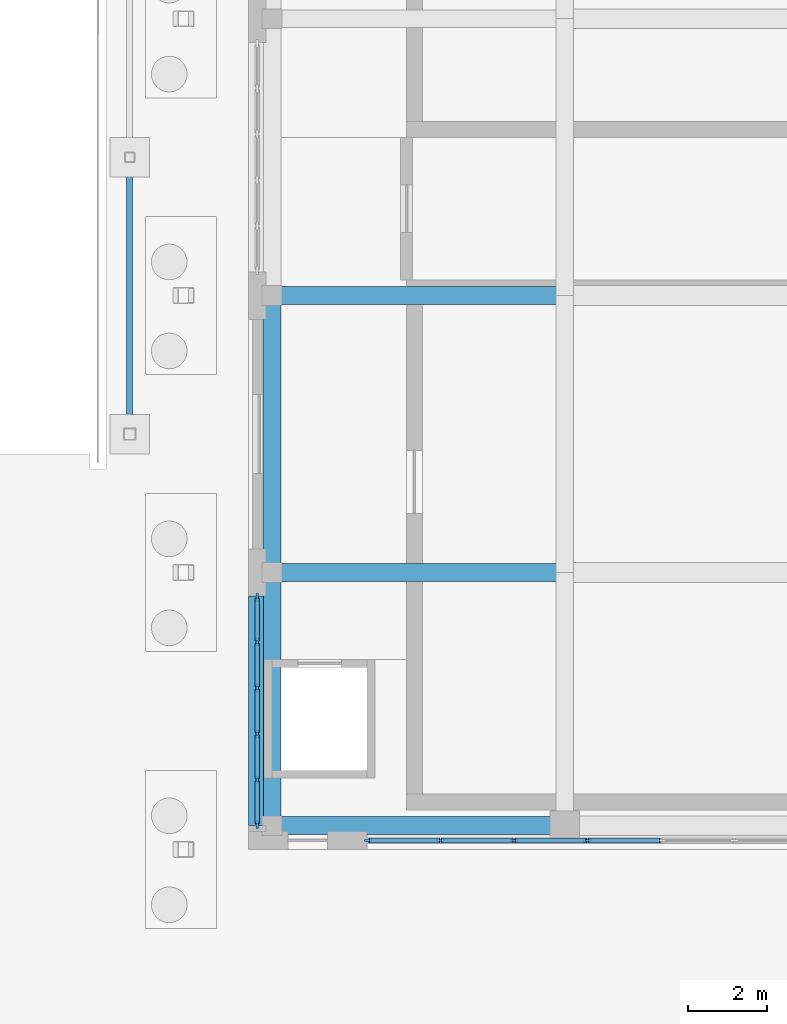
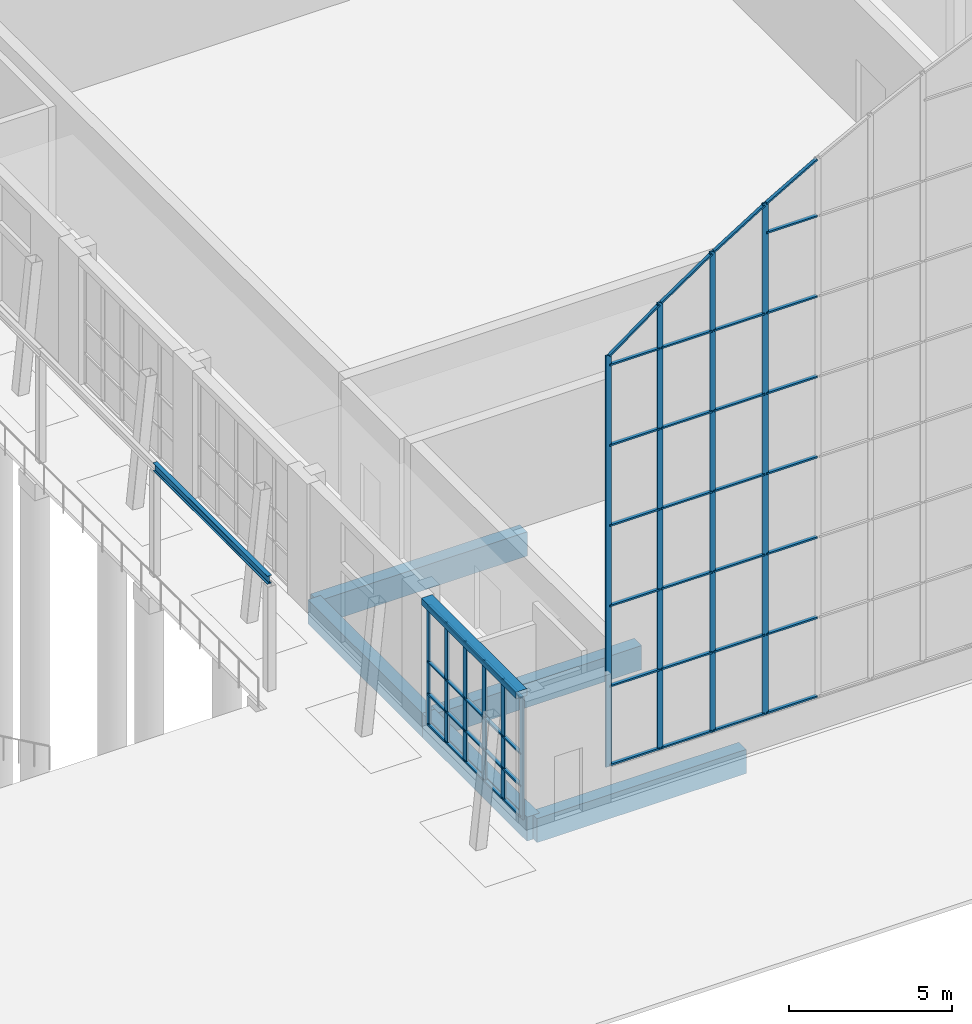
# One storey, part 35 of 144: 59 members, 7 beams, 2 elements without a shape of their own.
"""IFC4 building model written with IfcOpenShell, lengths in metres."""

from ifc_helpers import new_model, si_unit, direction, frame, origin, origin_2d, place, context, subcontext, project, spatial, rectangle, i_section, extrude, material, layer, layer_set, material_profile, profile_set, type_object, element, aggregate, save


model = new_model("IFC4")

# Units and contexts
model_context = context("Model", 3, precision=1e-05, world=origin(), true_north=direction((0.0, 1.0)))
body_context = subcontext(model_context, "Body", "Model", "MODEL_VIEW")
ifc_project = project(units=[si_unit("LENGTHUNIT", "METRE"), si_unit("AREAUNIT", "SQUARE_METRE"), si_unit("VOLUMEUNIT", "CUBIC_METRE"), si_unit("PLANEANGLEUNIT", "RADIAN"), si_unit("MASSUNIT", "GRAM", prefix="KILO")], contexts=[model_context])

# Site, building, storey
site_placement = place(None, origin())
site = spatial("IfcSite", under=ifc_project, at=site_placement, CompositionType="ELEMENT")
building_placement = place(site_placement, origin())
building = spatial("IfcBuilding", under=site, at=building_placement, Name="Lantern Court Media Centre", CompositionType="ELEMENT")
storey_placement = place(building_placement, origin())
storey = spatial("IfcBuildingStorey", under=building, at=storey_placement, Name="L00", CompositionType="ELEMENT", Elevation=0.0)

# Beam
ifc_material_1 = material(Name="Steel S355J2 (EN 10025-2)", Category="steel")
ifc_material_profile_1 = material_profile(ifc_material_1, i_section(OverallWidth=0.14990234375, OverallDepth=0.300048828125, WebThickness=0.007080078125, FlangeThickness=0.0107421875, FilletRadius=0.014892578125, at=origin_2d()), Name="IPE 300")
ifc_profile_set_1 = profile_set([ifc_material_profile_1], Name="Steel S355J2 (EN 10025-2)")
beam_type_1 = type_object("IfcBeamType", Name="Forecourt colonnade beam IPE 300", PredefinedType="BEAM", material=ifc_profile_set_1)
beam_1_placement = place(storey_placement, frame((69.0, 8.5, 4.050048828125), z_axis=(0.0, 1.0, 0.0), x_axis=(-1.0, 0.0, 0.0)))
element("IfcBeam", 1, at=beam_1_placement, inside=storey, type_object=beam_type_1, Name="Forecourt colonnade beam V2 1", PredefinedType="BEAM", context=body_context, shape_type="SweptSolid", body=[
    extrude(i_section(OverallWidth=0.14990234375, OverallDepth=0.300048828125, WebThickness=0.007080078125, FlangeThickness=0.0107421875, FilletRadius=0.014892578125, at=origin_2d()), origin(), (0.0, 0.0, 1.0), 7.0),
])

# Curtain wall, members
ifc_material_2 = material(Name="Aluminium and glass", Category="aluminium")
ifc_layer = layer(ifc_material_2, 0.14990234375)
ifc_layer_set = layer_set([ifc_layer], Name="Aluminium and glass")
curtain_wall_type = type_object("IfcCurtainWallType", Name="Hall lancet glazing", PredefinedType="NOTDEFINED", material=ifc_layer_set)
curtain_wall_1_placement = place(storey_placement, origin())
curtain_wall_1 = element("IfcCurtainWall", 2, at=curtain_wall_1_placement, inside=storey, type_object=curtain_wall_type, Name="Studio Hall foyer glazing 1", PredefinedType="NOTDEFINED")
ifc_material_3 = material(Name="Aluminium, anodised", Category="aluminium")
ifc_material_profile_2 = material_profile(ifc_material_3, rectangle(XDim=0.06005859375, YDim=0.199951171875, at=origin_2d()), Name="HM")
ifc_profile_set_2 = profile_set([ifc_material_profile_2], Name="Aluminium, anodised")
member_type_1 = type_object("IfcMemberType", Name="HM", PredefinedType="MULLION", material=ifc_profile_set_2)
member_1_placement = place(storey_placement, frame((72.22509765625, -1.3701171875, 0.0), z_axis=(0.0, 0.0, 1.0), x_axis=(-1.0, 0.0, 0.0)))
member_1 = element("IfcMember", 3, at=member_1_placement, type_object=member_type_1, Name="HCW-V21 mullion 1", PredefinedType="MULLION", context=body_context, shape_type="SweptSolid", body=[
    extrude(rectangle(XDim=0.06005859375, YDim=0.199951171875, at=origin_2d()), origin(), (0.0, 0.0, 1.0), 4.550048828125),
])
member_2_placement = place(storey_placement, frame((72.22509765625, -0.239990234375, 0.0), z_axis=(0.0, 0.0, 1.0), x_axis=(-1.0, 0.0, 0.0)))
member_2 = element("IfcMember", 4, at=member_2_placement, type_object=member_type_1, Name="HCW-V21 mullion 2", PredefinedType="MULLION", context=body_context, shape_type="SweptSolid", body=[
    extrude(rectangle(XDim=0.06005859375, YDim=0.199951171875, at=origin_2d()), origin(), (0.0, 0.0, 1.0), 4.550048828125),
])
member_3_placement = place(storey_placement, frame((72.22509765625, 0.919921875, 0.0), z_axis=(0.0, 0.0, 1.0), x_axis=(-1.0, 0.0, 0.0)))
member_3 = element("IfcMember", 5, at=member_3_placement, type_object=member_type_1, Name="HCW-V21 mullion 3", PredefinedType="MULLION", context=body_context, shape_type="SweptSolid", body=[
    extrude(rectangle(XDim=0.06005859375, YDim=0.199951171875, at=origin_2d()), origin(), (0.0, 0.0, 1.0), 4.550048828125),
])
member_4_placement = place(storey_placement, frame((72.22509765625, 2.080078125, 0.0), z_axis=(0.0, 0.0, 1.0), x_axis=(-1.0, 0.0, 0.0)))
member_4 = element("IfcMember", 6, at=member_4_placement, type_object=member_type_1, Name="HCW-V21 mullion 4", PredefinedType="MULLION", context=body_context, shape_type="SweptSolid", body=[
    extrude(rectangle(XDim=0.06005859375, YDim=0.199951171875, at=origin_2d()), origin(), (0.0, 0.0, 1.0), 4.550048828125),
])
member_5_placement = place(storey_placement, frame((72.22509765625, 3.239990234375, 0.0), z_axis=(0.0, 0.0, 1.0), x_axis=(-1.0, 0.0, 0.0)))
member_5 = element("IfcMember", 7, at=member_5_placement, type_object=member_type_1, Name="HCW-V21 mullion 5", PredefinedType="MULLION", context=body_context, shape_type="SweptSolid", body=[
    extrude(rectangle(XDim=0.06005859375, YDim=0.199951171875, at=origin_2d()), origin(), (0.0, 0.0, 1.0), 4.550048828125),
])
member_6_placement = place(storey_placement, frame((72.22509765625, 4.3701171875, 0.0), z_axis=(0.0, 0.0, 1.0), x_axis=(-1.0, 0.0, 0.0)))
member_6 = element("IfcMember", 8, at=member_6_placement, type_object=member_type_1, Name="HCW-V21 mullion 6", PredefinedType="MULLION", context=body_context, shape_type="SweptSolid", body=[
    extrude(rectangle(XDim=0.06005859375, YDim=0.199951171875, at=origin_2d()), origin(), (0.0, 0.0, 1.0), 4.550048828125),
])

curtain_wall_2_placement = place(storey_placement, origin())
curtain_wall_2 = element("IfcCurtainWall", 9, at=curtain_wall_2_placement, inside=storey, type_object=curtain_wall_type, Name="Studio Hall HCW-V20 glazing", PredefinedType="NOTDEFINED")
member_7_placement = place(storey_placement, frame((75.030029296875, -1.77490234375, 1.199951171875), z_axis=(0.0, 0.0, 1.0), x_axis=(0.0, 1.0, 0.0)))
member_7 = element("IfcMember", 10, at=member_7_placement, type_object=member_type_1, Name="HCW-V20 mullion 1", PredefinedType="MULLION", context=body_context, shape_type="SweptSolid", body=[
    extrude(rectangle(XDim=0.06005859375, YDim=0.199951171875, at=origin_2d()), origin(), (0.0, 0.0, 1.0), 15.369873046875),
])
member_8_placement = place(storey_placement, frame((76.857177734375, -1.77490234375, 1.199951171875), z_axis=(0.0, 0.0, 1.0), x_axis=(0.0, 1.0, 0.0)))
member_8 = element("IfcMember", 11, at=member_8_placement, type_object=member_type_1, Name="HCW-V20 mullion 2", PredefinedType="MULLION", context=body_context, shape_type="SweptSolid", body=[
    extrude(rectangle(XDim=0.06005859375, YDim=0.199951171875, at=origin_2d()), origin(), (0.0, 0.0, 1.0), 16.708984375),
])
member_9_placement = place(storey_placement, frame((78.71435546875, -1.77490234375, 1.199951171875), z_axis=(0.0, 0.0, 1.0), x_axis=(0.0, 1.0, 0.0)))
member_9 = element("IfcMember", 12, at=member_9_placement, type_object=member_type_1, Name="HCW-V20 mullion 3", PredefinedType="MULLION", context=body_context, shape_type="SweptSolid", body=[
    extrude(rectangle(XDim=0.06005859375, YDim=0.199951171875, at=origin_2d()), origin(), (0.0, 0.0, 1.0), 17.965576171875),
])
member_10_placement = place(storey_placement, frame((80.571533203125, -1.77490234375, 1.199951171875), z_axis=(0.0, 0.0, 1.0), x_axis=(0.0, 1.0, 0.0)))
member_10 = element("IfcMember", 13, at=member_10_placement, type_object=member_type_1, Name="HCW-V20 mullion 4", PredefinedType="MULLION", context=body_context, shape_type="SweptSolid", body=[
    extrude(rectangle(XDim=0.06005859375, YDim=0.199951171875, at=origin_2d()), origin(), (0.0, 0.0, 1.0), 19.124755859375),
])

# Member
ifc_material_profile_3 = material_profile(ifc_material_3, rectangle(XDim=0.1201171875, YDim=0.06005859375, at=origin_2d()), Name="HT")
ifc_profile_set_3 = profile_set([ifc_material_profile_3], Name="Aluminium, anodised")
member_type_2 = type_object("IfcMemberType", Name="HT", PredefinedType="USERDEFINED", material=ifc_profile_set_3)
member_11_placement = place(storey_placement, frame((72.22509765625, -1.340087890625, 0.06005859375), z_axis=(0.0, 1.0, 0.0), x_axis=(-1.0, 0.0, 0.0)))
member_11 = element("IfcMember", 14, at=member_11_placement, type_object=member_type_2, Name="HCW-V21 transom 1.1", ObjectType="TRANSOM", PredefinedType="USERDEFINED", context=body_context, shape_type="SweptSolid", body=[
    extrude(rectangle(XDim=0.1201171875, YDim=0.06005859375, at=origin_2d()), origin(), (0.0, 0.0, 1.0), 1.070068359375),
])

member_12_placement = place(storey_placement, frame((72.22509765625, -1.340087890625, 1.199951171875), z_axis=(0.0, 1.0, 0.0), x_axis=(-1.0, 0.0, 0.0)))
member_12 = element("IfcMember", 15, at=member_12_placement, type_object=member_type_2, Name="HCW-V21 transom 1.2", ObjectType="TRANSOM", PredefinedType="USERDEFINED", context=body_context, shape_type="SweptSolid", body=[
    extrude(rectangle(XDim=0.1201171875, YDim=0.06005859375, at=origin_2d()), origin(), (0.0, 0.0, 1.0), 1.070068359375),
])

member_13_placement = place(storey_placement, frame((72.22509765625, -1.340087890625, 2.39990234375), z_axis=(0.0, 1.0, 0.0), x_axis=(-1.0, 0.0, 0.0)))
member_13 = element("IfcMember", 16, at=member_13_placement, type_object=member_type_2, Name="HCW-V21 transom 1.3", ObjectType="TRANSOM", PredefinedType="USERDEFINED", context=body_context, shape_type="SweptSolid", body=[
    extrude(rectangle(XDim=0.1201171875, YDim=0.06005859375, at=origin_2d()), origin(), (0.0, 0.0, 1.0), 1.070068359375),
])

member_14_placement = place(storey_placement, frame((72.22509765625, -1.340087890625, 4.489990234375), z_axis=(0.0, 1.0, 0.0), x_axis=(-1.0, 0.0, 0.0)))
member_14 = element("IfcMember", 17, at=member_14_placement, type_object=member_type_2, Name="HCW-V21 transom 1.4", ObjectType="TRANSOM", PredefinedType="USERDEFINED", context=body_context, shape_type="SweptSolid", body=[
    extrude(rectangle(XDim=0.1201171875, YDim=0.06005859375, at=origin_2d()), origin(), (0.0, 0.0, 1.0), 1.070068359375),
])

member_15_placement = place(storey_placement, frame((72.22509765625, -0.2099609375, 0.06005859375), z_axis=(0.0, 1.0, 0.0), x_axis=(-1.0, 0.0, 0.0)))
member_15 = element("IfcMember", 18, at=member_15_placement, type_object=member_type_2, Name="HCW-V21 transom 2.1", ObjectType="TRANSOM", PredefinedType="USERDEFINED", context=body_context, shape_type="SweptSolid", body=[
    extrude(rectangle(XDim=0.1201171875, YDim=0.06005859375, at=origin_2d()), origin(), (0.0, 0.0, 1.0), 1.099853515625),
])

member_16_placement = place(storey_placement, frame((72.22509765625, -0.2099609375, 1.199951171875), z_axis=(0.0, 1.0, 0.0), x_axis=(-1.0, 0.0, 0.0)))
member_16 = element("IfcMember", 19, at=member_16_placement, type_object=member_type_2, Name="HCW-V21 transom 2.2", ObjectType="TRANSOM", PredefinedType="USERDEFINED", context=body_context, shape_type="SweptSolid", body=[
    extrude(rectangle(XDim=0.1201171875, YDim=0.06005859375, at=origin_2d()), origin(), (0.0, 0.0, 1.0), 1.099853515625),
])

member_17_placement = place(storey_placement, frame((72.22509765625, -0.2099609375, 2.39990234375), z_axis=(0.0, 1.0, 0.0), x_axis=(-1.0, 0.0, 0.0)))
member_17 = element("IfcMember", 20, at=member_17_placement, type_object=member_type_2, Name="HCW-V21 transom 2.3", ObjectType="TRANSOM", PredefinedType="USERDEFINED", context=body_context, shape_type="SweptSolid", body=[
    extrude(rectangle(XDim=0.1201171875, YDim=0.06005859375, at=origin_2d()), origin(), (0.0, 0.0, 1.0), 1.099853515625),
])

member_18_placement = place(storey_placement, frame((72.22509765625, -0.2099609375, 4.489990234375), z_axis=(0.0, 1.0, 0.0), x_axis=(-1.0, 0.0, 0.0)))
member_18 = element("IfcMember", 21, at=member_18_placement, type_object=member_type_2, Name="HCW-V21 transom 2.4", ObjectType="TRANSOM", PredefinedType="USERDEFINED", context=body_context, shape_type="SweptSolid", body=[
    extrude(rectangle(XDim=0.1201171875, YDim=0.06005859375, at=origin_2d()), origin(), (0.0, 0.0, 1.0), 1.099853515625),
])

member_19_placement = place(storey_placement, frame((72.22509765625, 0.949951171875, 0.06005859375), z_axis=(0.0, 1.0, 0.0), x_axis=(-1.0, 0.0, 0.0)))
member_19 = element("IfcMember", 22, at=member_19_placement, type_object=member_type_2, Name="HCW-V21 transom 3.1", ObjectType="TRANSOM", PredefinedType="USERDEFINED", context=body_context, shape_type="SweptSolid", body=[
    extrude(rectangle(XDim=0.1201171875, YDim=0.06005859375, at=origin_2d()), origin(), (0.0, 0.0, 1.0), 1.10009765625),
])

member_20_placement = place(storey_placement, frame((72.22509765625, 0.949951171875, 1.199951171875), z_axis=(0.0, 1.0, 0.0), x_axis=(-1.0, 0.0, 0.0)))
member_20 = element("IfcMember", 23, at=member_20_placement, type_object=member_type_2, Name="HCW-V21 transom 3.2", ObjectType="TRANSOM", PredefinedType="USERDEFINED", context=body_context, shape_type="SweptSolid", body=[
    extrude(rectangle(XDim=0.1201171875, YDim=0.06005859375, at=origin_2d()), origin(), (0.0, 0.0, 1.0), 1.10009765625),
])

member_21_placement = place(storey_placement, frame((72.22509765625, 0.949951171875, 2.39990234375), z_axis=(0.0, 1.0, 0.0), x_axis=(-1.0, 0.0, 0.0)))
member_21 = element("IfcMember", 24, at=member_21_placement, type_object=member_type_2, Name="HCW-V21 transom 3.3", ObjectType="TRANSOM", PredefinedType="USERDEFINED", context=body_context, shape_type="SweptSolid", body=[
    extrude(rectangle(XDim=0.1201171875, YDim=0.06005859375, at=origin_2d()), origin(), (0.0, 0.0, 1.0), 1.10009765625),
])

member_22_placement = place(storey_placement, frame((72.22509765625, 0.949951171875, 4.489990234375), z_axis=(0.0, 1.0, 0.0), x_axis=(-1.0, 0.0, 0.0)))
member_22 = element("IfcMember", 25, at=member_22_placement, type_object=member_type_2, Name="HCW-V21 transom 3.4", ObjectType="TRANSOM", PredefinedType="USERDEFINED", context=body_context, shape_type="SweptSolid", body=[
    extrude(rectangle(XDim=0.1201171875, YDim=0.06005859375, at=origin_2d()), origin(), (0.0, 0.0, 1.0), 1.10009765625),
])

member_23_placement = place(storey_placement, frame((72.22509765625, 2.110107421875, 0.06005859375), z_axis=(0.0, 1.0, 0.0), x_axis=(-1.0, 0.0, 0.0)))
member_23 = element("IfcMember", 26, at=member_23_placement, type_object=member_type_2, Name="HCW-V21 transom 4.1", ObjectType="TRANSOM", PredefinedType="USERDEFINED", context=body_context, shape_type="SweptSolid", body=[
    extrude(rectangle(XDim=0.1201171875, YDim=0.06005859375, at=origin_2d()), origin(), (0.0, 0.0, 1.0), 1.099853515625),
])

member_24_placement = place(storey_placement, frame((72.22509765625, 2.110107421875, 1.199951171875), z_axis=(0.0, 1.0, 0.0), x_axis=(-1.0, 0.0, 0.0)))
member_24 = element("IfcMember", 27, at=member_24_placement, type_object=member_type_2, Name="HCW-V21 transom 4.2", ObjectType="TRANSOM", PredefinedType="USERDEFINED", context=body_context, shape_type="SweptSolid", body=[
    extrude(rectangle(XDim=0.1201171875, YDim=0.06005859375, at=origin_2d()), origin(), (0.0, 0.0, 1.0), 1.099853515625),
])

member_25_placement = place(storey_placement, frame((72.22509765625, 2.110107421875, 2.39990234375), z_axis=(0.0, 1.0, 0.0), x_axis=(-1.0, 0.0, 0.0)))
member_25 = element("IfcMember", 28, at=member_25_placement, type_object=member_type_2, Name="HCW-V21 transom 4.3", ObjectType="TRANSOM", PredefinedType="USERDEFINED", context=body_context, shape_type="SweptSolid", body=[
    extrude(rectangle(XDim=0.1201171875, YDim=0.06005859375, at=origin_2d()), origin(), (0.0, 0.0, 1.0), 1.099853515625),
])

member_26_placement = place(storey_placement, frame((72.22509765625, 2.110107421875, 4.489990234375), z_axis=(0.0, 1.0, 0.0), x_axis=(-1.0, 0.0, 0.0)))
member_26 = element("IfcMember", 29, at=member_26_placement, type_object=member_type_2, Name="HCW-V21 transom 4.4", ObjectType="TRANSOM", PredefinedType="USERDEFINED", context=body_context, shape_type="SweptSolid", body=[
    extrude(rectangle(XDim=0.1201171875, YDim=0.06005859375, at=origin_2d()), origin(), (0.0, 0.0, 1.0), 1.099853515625),
])

member_27_placement = place(storey_placement, frame((72.22509765625, 3.27001953125, 0.06005859375), z_axis=(0.0, 1.0, 0.0), x_axis=(-1.0, 0.0, 0.0)))
member_27 = element("IfcMember", 30, at=member_27_placement, type_object=member_type_2, Name="HCW-V21 transom 5.1", ObjectType="TRANSOM", PredefinedType="USERDEFINED", context=body_context, shape_type="SweptSolid", body=[
    extrude(rectangle(XDim=0.1201171875, YDim=0.06005859375, at=origin_2d()), origin(), (0.0, 0.0, 1.0), 1.070068359375),
])

member_28_placement = place(storey_placement, frame((72.22509765625, 3.27001953125, 1.199951171875), z_axis=(0.0, 1.0, 0.0), x_axis=(-1.0, 0.0, 0.0)))
member_28 = element("IfcMember", 31, at=member_28_placement, type_object=member_type_2, Name="HCW-V21 transom 5.2", ObjectType="TRANSOM", PredefinedType="USERDEFINED", context=body_context, shape_type="SweptSolid", body=[
    extrude(rectangle(XDim=0.1201171875, YDim=0.06005859375, at=origin_2d()), origin(), (0.0, 0.0, 1.0), 1.070068359375),
])

member_29_placement = place(storey_placement, frame((72.22509765625, 3.27001953125, 2.39990234375), z_axis=(0.0, 1.0, 0.0), x_axis=(-1.0, 0.0, 0.0)))
member_29 = element("IfcMember", 32, at=member_29_placement, type_object=member_type_2, Name="HCW-V21 transom 5.3", ObjectType="TRANSOM", PredefinedType="USERDEFINED", context=body_context, shape_type="SweptSolid", body=[
    extrude(rectangle(XDim=0.1201171875, YDim=0.06005859375, at=origin_2d()), origin(), (0.0, 0.0, 1.0), 1.070068359375),
])

member_30_placement = place(storey_placement, frame((72.22509765625, 3.27001953125, 4.489990234375), z_axis=(0.0, 1.0, 0.0), x_axis=(-1.0, 0.0, 0.0)))
member_30 = element("IfcMember", 33, at=member_30_placement, type_object=member_type_2, Name="HCW-V21 transom 5.4", ObjectType="TRANSOM", PredefinedType="USERDEFINED", context=body_context, shape_type="SweptSolid", body=[
    extrude(rectangle(XDim=0.1201171875, YDim=0.06005859375, at=origin_2d()), origin(), (0.0, 0.0, 1.0), 1.070068359375),
])

aggregate(curtain_wall_1, [member_1, member_2, member_3, member_4, member_5, member_6, member_11, member_12, member_13, member_14, member_15, member_16, member_17, member_18, member_19, member_20, member_21, member_22, member_23, member_24, member_25, member_26, member_27, member_28, member_29, member_30])

member_31_placement = place(storey_placement, frame((75.06005859375, -1.77490234375, 1.260009765625), z_axis=(1.0, 0.0, 0.0), x_axis=(0.0, 1.0, 0.0)))
member_31 = element("IfcMember", 34, at=member_31_placement, type_object=member_type_2, Name="HCW-V20 transom 1.1", ObjectType="TRANSOM", PredefinedType="USERDEFINED", context=body_context, shape_type="SweptSolid", body=[
    extrude(rectangle(XDim=0.1201171875, YDim=0.06005859375, at=origin_2d()), origin(), (0.0, 0.0, 1.0), 1.76708984375),
])

member_32_placement = place(storey_placement, frame((75.06005859375, -1.77490234375, 4.199951171875), z_axis=(1.0, 0.0, 0.0), x_axis=(0.0, 1.0, 0.0)))
member_32 = element("IfcMember", 35, at=member_32_placement, type_object=member_type_2, Name="HCW-V20 transom 1.2", ObjectType="TRANSOM", PredefinedType="USERDEFINED", context=body_context, shape_type="SweptSolid", body=[
    extrude(rectangle(XDim=0.1201171875, YDim=0.06005859375, at=origin_2d()), origin(), (0.0, 0.0, 1.0), 1.76708984375),
])

member_33_placement = place(storey_placement, frame((75.06005859375, -1.77490234375, 7.199951171875), z_axis=(1.0, 0.0, 0.0), x_axis=(0.0, 1.0, 0.0)))
member_33 = element("IfcMember", 36, at=member_33_placement, type_object=member_type_2, Name="HCW-V20 transom 1.3", ObjectType="TRANSOM", PredefinedType="USERDEFINED", context=body_context, shape_type="SweptSolid", body=[
    extrude(rectangle(XDim=0.1201171875, YDim=0.06005859375, at=origin_2d()), origin(), (0.0, 0.0, 1.0), 1.76708984375),
])

member_34_placement = place(storey_placement, frame((75.06005859375, -1.77490234375, 10.199951171875), z_axis=(1.0, 0.0, 0.0), x_axis=(0.0, 1.0, 0.0)))
member_34 = element("IfcMember", 37, at=member_34_placement, type_object=member_type_2, Name="HCW-V20 transom 1.4", ObjectType="TRANSOM", PredefinedType="USERDEFINED", context=body_context, shape_type="SweptSolid", body=[
    extrude(rectangle(XDim=0.1201171875, YDim=0.06005859375, at=origin_2d()), origin(), (0.0, 0.0, 1.0), 1.76708984375),
])

member_35_placement = place(storey_placement, frame((75.06005859375, -1.77490234375, 13.199951171875), z_axis=(1.0, 0.0, 0.0), x_axis=(0.0, 1.0, 0.0)))
member_35 = element("IfcMember", 38, at=member_35_placement, type_object=member_type_2, Name="HCW-V20 transom 1.5", ObjectType="TRANSOM", PredefinedType="USERDEFINED", context=body_context, shape_type="SweptSolid", body=[
    extrude(rectangle(XDim=0.1201171875, YDim=0.06005859375, at=origin_2d()), origin(), (0.0, 0.0, 1.0), 1.76708984375),
])

member_36_placement = place(storey_placement, frame((75.06005859375, -1.77490234375, 16.199951171875), z_axis=(1.0, 0.0, 0.0), x_axis=(0.0, 1.0, 0.0)))
member_36 = element("IfcMember", 39, at=member_36_placement, type_object=member_type_2, Name="HCW-V20 transom 1.6", ObjectType="TRANSOM", PredefinedType="USERDEFINED", context=body_context, shape_type="SweptSolid", body=[
    extrude(rectangle(XDim=0.1201171875, YDim=0.06005859375, at=origin_2d()), origin(), (0.0, 0.0, 1.0), 1.76708984375),
])

member_37_placement = place(storey_placement, frame((75.06005859375, -1.77490234375, 16.53271484375), z_axis=(0.8065573048, 0.0, 0.591155913507), x_axis=(0.0, 1.0, 0.0)))
member_37 = element("IfcMember", 40, at=member_37_placement, type_object=member_type_2, Name="HCW-V20 head member 1", ObjectType="TRANSOM", PredefinedType="USERDEFINED", context=body_context, shape_type="SweptSolid", body=[
    extrude(rectangle(XDim=0.1201171875, YDim=0.06005859375, at=origin_2d()), origin(), (0.0, 0.0, 1.0), 2.19091796875),
])

member_38_placement = place(storey_placement, frame((76.88720703125, -1.77490234375, 1.260009765625), z_axis=(1.0, 0.0, 0.0), x_axis=(0.0, 1.0, 0.0)))
member_38 = element("IfcMember", 41, at=member_38_placement, type_object=member_type_2, Name="HCW-V20 transom 2.1", ObjectType="TRANSOM", PredefinedType="USERDEFINED", context=body_context, shape_type="SweptSolid", body=[
    extrude(rectangle(XDim=0.1201171875, YDim=0.06005859375, at=origin_2d()), origin(), (0.0, 0.0, 1.0), 1.797119140625),
])

member_39_placement = place(storey_placement, frame((76.88720703125, -1.77490234375, 4.199951171875), z_axis=(1.0, 0.0, 0.0), x_axis=(0.0, 1.0, 0.0)))
member_39 = element("IfcMember", 42, at=member_39_placement, type_object=member_type_2, Name="HCW-V20 transom 2.2", ObjectType="TRANSOM", PredefinedType="USERDEFINED", context=body_context, shape_type="SweptSolid", body=[
    extrude(rectangle(XDim=0.1201171875, YDim=0.06005859375, at=origin_2d()), origin(), (0.0, 0.0, 1.0), 1.797119140625),
])

member_40_placement = place(storey_placement, frame((76.88720703125, -1.77490234375, 7.199951171875), z_axis=(1.0, 0.0, 0.0), x_axis=(0.0, 1.0, 0.0)))
member_40 = element("IfcMember", 43, at=member_40_placement, type_object=member_type_2, Name="HCW-V20 transom 2.3", ObjectType="TRANSOM", PredefinedType="USERDEFINED", context=body_context, shape_type="SweptSolid", body=[
    extrude(rectangle(XDim=0.1201171875, YDim=0.06005859375, at=origin_2d()), origin(), (0.0, 0.0, 1.0), 1.797119140625),
])

member_41_placement = place(storey_placement, frame((76.88720703125, -1.77490234375, 10.199951171875), z_axis=(1.0, 0.0, 0.0), x_axis=(0.0, 1.0, 0.0)))
member_41 = element("IfcMember", 44, at=member_41_placement, type_object=member_type_2, Name="HCW-V20 transom 2.4", ObjectType="TRANSOM", PredefinedType="USERDEFINED", context=body_context, shape_type="SweptSolid", body=[
    extrude(rectangle(XDim=0.1201171875, YDim=0.06005859375, at=origin_2d()), origin(), (0.0, 0.0, 1.0), 1.797119140625),
])

member_42_placement = place(storey_placement, frame((76.88720703125, -1.77490234375, 13.199951171875), z_axis=(1.0, 0.0, 0.0), x_axis=(0.0, 1.0, 0.0)))
member_42 = element("IfcMember", 45, at=member_42_placement, type_object=member_type_2, Name="HCW-V20 transom 2.5", ObjectType="TRANSOM", PredefinedType="USERDEFINED", context=body_context, shape_type="SweptSolid", body=[
    extrude(rectangle(XDim=0.1201171875, YDim=0.06005859375, at=origin_2d()), origin(), (0.0, 0.0, 1.0), 1.797119140625),
])

member_43_placement = place(storey_placement, frame((76.88720703125, -1.77490234375, 16.199951171875), z_axis=(1.0, 0.0, 0.0), x_axis=(0.0, 1.0, 0.0)))
member_43 = element("IfcMember", 46, at=member_43_placement, type_object=member_type_2, Name="HCW-V20 transom 2.6", ObjectType="TRANSOM", PredefinedType="USERDEFINED", context=body_context, shape_type="SweptSolid", body=[
    extrude(rectangle(XDim=0.1201171875, YDim=0.06005859375, at=origin_2d()), origin(), (0.0, 0.0, 1.0), 1.797119140625),
])

member_44_placement = place(storey_placement, frame((76.88720703125, -1.77490234375, 17.8701171875), z_axis=(0.828257302323, 0.0, 0.560347964348), x_axis=(0.0, 1.0, 0.0)))
member_44 = element("IfcMember", 47, at=member_44_placement, type_object=member_type_2, Name="HCW-V20 head member 2", ObjectType="TRANSOM", PredefinedType="USERDEFINED", context=body_context, shape_type="SweptSolid", body=[
    extrude(rectangle(XDim=0.1201171875, YDim=0.06005859375, at=origin_2d()), origin(), (0.0, 0.0, 1.0), 2.169677734375),
])

member_45_placement = place(storey_placement, frame((78.744384765625, -1.77490234375, 1.260009765625), z_axis=(1.0, 0.0, 0.0), x_axis=(0.0, 1.0, 0.0)))
member_45 = element("IfcMember", 48, at=member_45_placement, type_object=member_type_2, Name="HCW-V20 transom 3.1", ObjectType="TRANSOM", PredefinedType="USERDEFINED", context=body_context, shape_type="SweptSolid", body=[
    extrude(rectangle(XDim=0.1201171875, YDim=0.06005859375, at=origin_2d()), origin(), (0.0, 0.0, 1.0), 1.797119140625),
])

member_46_placement = place(storey_placement, frame((78.744384765625, -1.77490234375, 4.199951171875), z_axis=(1.0, 0.0, 0.0), x_axis=(0.0, 1.0, 0.0)))
member_46 = element("IfcMember", 49, at=member_46_placement, type_object=member_type_2, Name="HCW-V20 transom 3.2", ObjectType="TRANSOM", PredefinedType="USERDEFINED", context=body_context, shape_type="SweptSolid", body=[
    extrude(rectangle(XDim=0.1201171875, YDim=0.06005859375, at=origin_2d()), origin(), (0.0, 0.0, 1.0), 1.797119140625),
])

member_47_placement = place(storey_placement, frame((78.744384765625, -1.77490234375, 7.199951171875), z_axis=(1.0, 0.0, 0.0), x_axis=(0.0, 1.0, 0.0)))
member_47 = element("IfcMember", 50, at=member_47_placement, type_object=member_type_2, Name="HCW-V20 transom 3.3", ObjectType="TRANSOM", PredefinedType="USERDEFINED", context=body_context, shape_type="SweptSolid", body=[
    extrude(rectangle(XDim=0.1201171875, YDim=0.06005859375, at=origin_2d()), origin(), (0.0, 0.0, 1.0), 1.797119140625),
])

member_48_placement = place(storey_placement, frame((78.744384765625, -1.77490234375, 10.199951171875), z_axis=(1.0, 0.0, 0.0), x_axis=(0.0, 1.0, 0.0)))
member_48 = element("IfcMember", 51, at=member_48_placement, type_object=member_type_2, Name="HCW-V20 transom 3.4", ObjectType="TRANSOM", PredefinedType="USERDEFINED", context=body_context, shape_type="SweptSolid", body=[
    extrude(rectangle(XDim=0.1201171875, YDim=0.06005859375, at=origin_2d()), origin(), (0.0, 0.0, 1.0), 1.797119140625),
])

member_49_placement = place(storey_placement, frame((78.744384765625, -1.77490234375, 13.199951171875), z_axis=(1.0, 0.0, 0.0), x_axis=(0.0, 1.0, 0.0)))
member_49 = element("IfcMember", 52, at=member_49_placement, type_object=member_type_2, Name="HCW-V20 transom 3.5", ObjectType="TRANSOM", PredefinedType="USERDEFINED", context=body_context, shape_type="SweptSolid", body=[
    extrude(rectangle(XDim=0.1201171875, YDim=0.06005859375, at=origin_2d()), origin(), (0.0, 0.0, 1.0), 1.797119140625),
])

member_50_placement = place(storey_placement, frame((78.744384765625, -1.77490234375, 16.199951171875), z_axis=(1.0, 0.0, 0.0), x_axis=(0.0, 1.0, 0.0)))
member_50 = element("IfcMember", 53, at=member_50_placement, type_object=member_type_2, Name="HCW-V20 transom 3.6", ObjectType="TRANSOM", PredefinedType="USERDEFINED", context=body_context, shape_type="SweptSolid", body=[
    extrude(rectangle(XDim=0.1201171875, YDim=0.06005859375, at=origin_2d()), origin(), (0.0, 0.0, 1.0), 1.797119140625),
])

member_51_placement = place(storey_placement, frame((78.744384765625, -1.77490234375, 19.125), z_axis=(0.848341280723, 0.0, 0.529449781774), x_axis=(0.0, 1.0, 0.0)))
member_51 = element("IfcMember", 54, at=member_51_placement, type_object=member_type_2, Name="HCW-V20 head member 3", ObjectType="TRANSOM", PredefinedType="USERDEFINED", context=body_context, shape_type="SweptSolid", body=[
    extrude(rectangle(XDim=0.1201171875, YDim=0.06005859375, at=origin_2d()), origin(), (0.0, 0.0, 1.0), 2.118408203125),
])

member_52_placement = place(storey_placement, frame((80.601318359375, -1.77490234375, 1.260009765625), z_axis=(1.0, 0.0, 0.0), x_axis=(0.0, 1.0, 0.0)))
member_52 = element("IfcMember", 55, at=member_52_placement, type_object=member_type_2, Name="HCW-V20 transom 4.1", ObjectType="TRANSOM", PredefinedType="USERDEFINED", context=body_context, shape_type="SweptSolid", body=[
    extrude(rectangle(XDim=0.1201171875, YDim=0.06005859375, at=origin_2d()), origin(), (0.0, 0.0, 1.0), 1.79736328125),
])

member_53_placement = place(storey_placement, frame((80.601318359375, -1.77490234375, 4.199951171875), z_axis=(1.0, 0.0, 0.0), x_axis=(0.0, 1.0, 0.0)))
member_53 = element("IfcMember", 56, at=member_53_placement, type_object=member_type_2, Name="HCW-V20 transom 4.2", ObjectType="TRANSOM", PredefinedType="USERDEFINED", context=body_context, shape_type="SweptSolid", body=[
    extrude(rectangle(XDim=0.1201171875, YDim=0.06005859375, at=origin_2d()), origin(), (0.0, 0.0, 1.0), 1.79736328125),
])

member_54_placement = place(storey_placement, frame((80.601318359375, -1.77490234375, 7.199951171875), z_axis=(1.0, 0.0, 0.0), x_axis=(0.0, 1.0, 0.0)))
member_54 = element("IfcMember", 57, at=member_54_placement, type_object=member_type_2, Name="HCW-V20 transom 4.3", ObjectType="TRANSOM", PredefinedType="USERDEFINED", context=body_context, shape_type="SweptSolid", body=[
    extrude(rectangle(XDim=0.1201171875, YDim=0.06005859375, at=origin_2d()), origin(), (0.0, 0.0, 1.0), 1.79736328125),
])

member_55_placement = place(storey_placement, frame((80.601318359375, -1.77490234375, 10.199951171875), z_axis=(1.0, 0.0, 0.0), x_axis=(0.0, 1.0, 0.0)))
member_55 = element("IfcMember", 58, at=member_55_placement, type_object=member_type_2, Name="HCW-V20 transom 4.4", ObjectType="TRANSOM", PredefinedType="USERDEFINED", context=body_context, shape_type="SweptSolid", body=[
    extrude(rectangle(XDim=0.1201171875, YDim=0.06005859375, at=origin_2d()), origin(), (0.0, 0.0, 1.0), 1.79736328125),
])

member_56_placement = place(storey_placement, frame((80.601318359375, -1.77490234375, 13.199951171875), z_axis=(1.0, 0.0, 0.0), x_axis=(0.0, 1.0, 0.0)))
member_56 = element("IfcMember", 59, at=member_56_placement, type_object=member_type_2, Name="HCW-V20 transom 4.5", ObjectType="TRANSOM", PredefinedType="USERDEFINED", context=body_context, shape_type="SweptSolid", body=[
    extrude(rectangle(XDim=0.1201171875, YDim=0.06005859375, at=origin_2d()), origin(), (0.0, 0.0, 1.0), 1.79736328125),
])

member_57_placement = place(storey_placement, frame((80.601318359375, -1.77490234375, 16.199951171875), z_axis=(1.0, 0.0, 0.0), x_axis=(0.0, 1.0, 0.0)))
member_57 = element("IfcMember", 60, at=member_57_placement, type_object=member_type_2, Name="HCW-V20 transom 4.6", ObjectType="TRANSOM", PredefinedType="USERDEFINED", context=body_context, shape_type="SweptSolid", body=[
    extrude(rectangle(XDim=0.1201171875, YDim=0.06005859375, at=origin_2d()), origin(), (0.0, 0.0, 1.0), 1.79736328125),
])

member_58_placement = place(storey_placement, frame((80.601318359375, -1.77490234375, 19.199951171875), z_axis=(1.0, 0.0, 0.0), x_axis=(0.0, 1.0, 0.0)))
member_58 = element("IfcMember", 61, at=member_58_placement, type_object=member_type_2, Name="HCW-V20 transom 4.7", ObjectType="TRANSOM", PredefinedType="USERDEFINED", context=body_context, shape_type="SweptSolid", body=[
    extrude(rectangle(XDim=0.1201171875, YDim=0.06005859375, at=origin_2d()), origin(), (0.0, 0.0, 1.0), 1.79736328125),
])

member_59_placement = place(storey_placement, frame((80.601318359375, -1.77490234375, 20.282470703125), z_axis=(0.866913935751, 0.0, 0.498457849774), x_axis=(0.0, 1.0, 0.0)))
member_59 = element("IfcMember", 62, at=member_59_placement, type_object=member_type_2, Name="HCW-V20 head member 4", ObjectType="TRANSOM", PredefinedType="USERDEFINED", context=body_context, shape_type="SweptSolid", body=[
    extrude(rectangle(XDim=0.1201171875, YDim=0.06005859375, at=origin_2d()), origin(), (0.0, 0.0, 1.0), 2.0732421875),
])

aggregate(curtain_wall_2, [member_7, member_8, member_9, member_10, member_31, member_32, member_33, member_34, member_35, member_36, member_37, member_38, member_39, member_40, member_41, member_42, member_43, member_44, member_45, member_46, member_47, member_48, member_49, member_50, member_51, member_52, member_53, member_54, member_55, member_56, member_57, member_58, member_59])

# Beams
ifc_material_4 = material(Name="Concrete C35", Category="concrete")
ifc_material_profile_4 = material_profile(ifc_material_4, rectangle(XDim=0.3798828125, YDim=0.25, at=origin_2d()), Name="RC 380x250")
ifc_profile_set_4 = profile_set([ifc_material_profile_4], Name="Concrete C35")
beam_type_2 = type_object("IfcBeamType", Name="RC BEAM 380x250", PredefinedType="BEAM", material=ifc_profile_set_4)
beam_2_placement = place(storey_placement, frame((72.18994140625, -1.39990234375, 4.675048828125), z_axis=(0.0, 1.0, 0.0), x_axis=(-1.0, 0.0, 0.0)))
element("IfcBeam", 63, at=beam_2_placement, inside=storey, type_object=beam_type_2, Name="HB-V2-L00-FH0", PredefinedType="BEAM", context=body_context, shape_type="SweptSolid", body=[
    extrude(rectangle(XDim=0.3798828125, YDim=0.25, at=origin_2d()), origin(), (0.0, 0.0, 1.0), 5.7998046875),
])
ifc_material_profile_5 = material_profile(ifc_material_4, rectangle(XDim=0.449951171875, YDim=0.89990234375, at=origin_2d()), Name="RC 450x900")
ifc_profile_set_5 = profile_set([ifc_material_profile_5], Name="Concrete C35")
beam_type_3 = type_object("IfcBeamType", Name="RC BEAM 450x900", PredefinedType="BEAM", material=ifc_profile_set_5)
for number, where, z_axis, x_axis, name in (
    (64, (72.60009765625, -1.39990234375, -0.449951171875), (1.0, 0.0, 0.0), (0.0, 1.0, 0.0), "HB-V2-L00-PX0-0"),
    (65, (72.60009765625, 5.0, -0.449951171875), (1.0, 0.0, 0.0), (0.0, 1.0, 0.0), "HB-V2-L00-PX1-0"),
    (66, (72.60009765625, 12.0, -0.449951171875), (1.0, 0.0, 0.0), (0.0, 1.0, 0.0), "HB-V2-L00-PX2-0"),
):
    element("IfcBeam", number, at=place(storey_placement, frame(where, z_axis=z_axis, x_axis=x_axis)), inside=storey, type_object=beam_type_3, Name=name, PredefinedType="BEAM", context=body_context, shape_type="SweptSolid", body=[
        extrude(rectangle(XDim=0.449951171875, YDim=0.89990234375, at=origin_2d()), origin(), (0.0, 0.0, 1.0), 7.39990234375),
    ])
beam_3_placement = place(storey_placement, frame((72.60009765625, -1.39990234375, -0.449951171875), z_axis=(0.0, 1.0, 0.0), x_axis=(-1.0, 0.0, 0.0)))
element("IfcBeam", 67, at=beam_3_placement, inside=storey, type_object=beam_type_3, Name="HB-V2-L00-PY0-0", PredefinedType="BEAM", context=body_context, shape_type="SweptSolid", body=[
    extrude(rectangle(XDim=0.449951171875, YDim=0.89990234375, at=origin_2d()), origin(), (0.0, 0.0, 1.0), 6.39990234375),
])
beam_4_placement = place(storey_placement, frame((72.60009765625, 5.0, -0.449951171875), z_axis=(0.0, 1.0, 0.0), x_axis=(-1.0, 0.0, 0.0)))
element("IfcBeam", 68, at=beam_4_placement, inside=storey, type_object=beam_type_3, Name="HB-V2-L00-PY0-1", PredefinedType="BEAM", context=body_context, shape_type="SweptSolid", body=[
    extrude(rectangle(XDim=0.449951171875, YDim=0.89990234375, at=origin_2d()), origin(), (0.0, 0.0, 1.0), 7.0),
])

save(model, "model.ifc")
